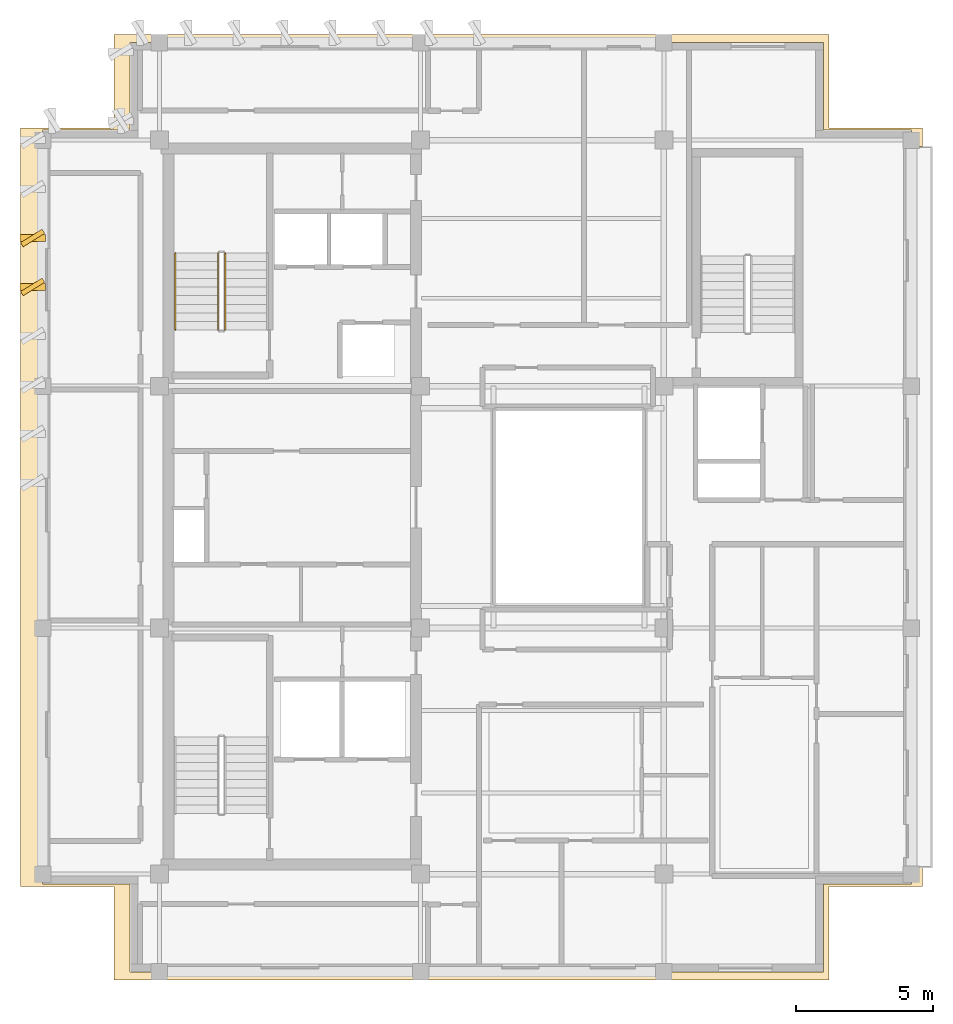
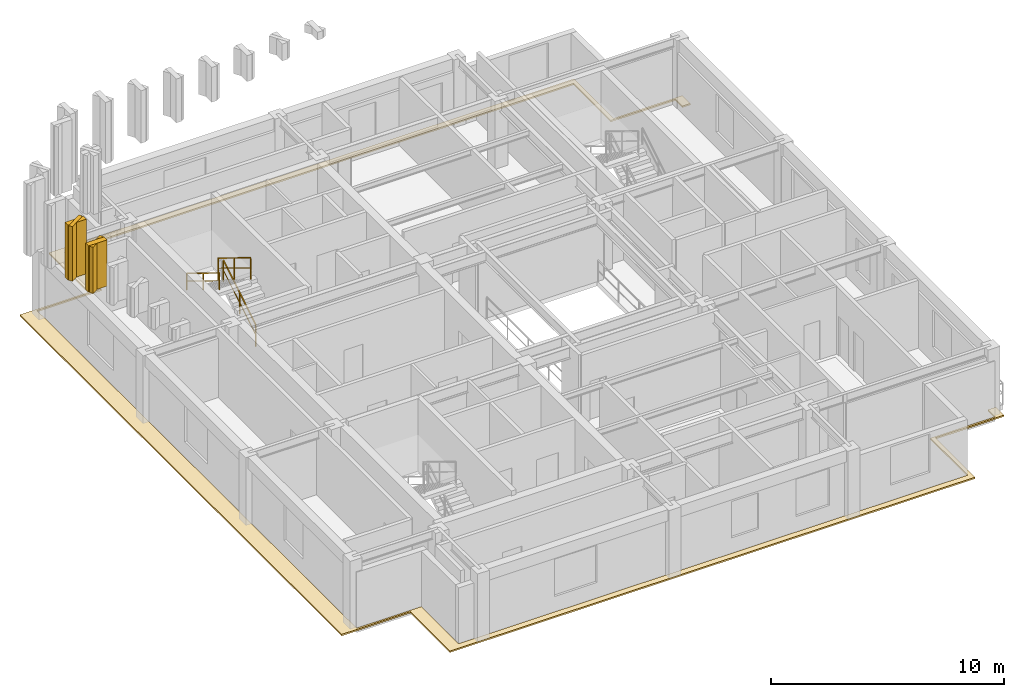
# One storey, part 8 of 9: 3 coverings, 3 railings, 2 shading devices.
"""IFC4 building model written with IfcOpenShell, lengths in metres."""

from ifc_helpers import new_model, si_unit, direction, frame, origin, origin_2d, place, context, subcontext, project, spatial, polyline, rectangle, outline, extrude, material, layer, layer_set, type_object, element, save


model = new_model("IFC4")

# Units and contexts
model_context = context("Model", 3, precision=1e-05, world=origin(), true_north=direction((0.0, 1.0)))
body_context = subcontext(model_context, "Body", "Model", "MODEL_VIEW")
ifc_project = project(units=[si_unit("LENGTHUNIT", "METRE"), si_unit("AREAUNIT", "SQUARE_METRE"), si_unit("VOLUMEUNIT", "CUBIC_METRE"), si_unit("PLANEANGLEUNIT", "RADIAN"), si_unit("MASSUNIT", "GRAM", prefix="KILO")], contexts=[model_context])

# Site, building, storey
site_placement = place(None, origin())
site = spatial("IfcSite", under=ifc_project, at=site_placement, CompositionType="ELEMENT")
building_placement = place(site_placement, origin())
building = spatial("IfcBuilding", under=site, at=building_placement, Name="Kundavana Baori Tower", CompositionType="ELEMENT")
storey_placement = place(building_placement, frame((0.0, 0.0, 342.89990234375)))
storey = spatial("IfcBuildingStorey", under=building, at=storey_placement, Name="L85", CompositionType="ELEMENT", Elevation=342.89990234375)

# Coverings
ifc_material_1 = material(Name="Elastomeric APP Waterproofing Roofing Membrane")
ifc_layer_1 = layer(ifc_material_1, 0.044921875, Name="COV-ROOF-MEMB")
ifc_layer_set_1 = layer_set([ifc_layer_1], Name="Elastomeric APP Waterproofing Roofing Membrane")
covering_type_1 = type_object("IfcCoveringType", Name="COV-ROOF-MEMB", PredefinedType="ROOFING", material=ifc_layer_set_1)
covering_1_placement = place(storey_placement, frame((0.0, 0.0, -0.079833984375)))
element("IfcCovering", 1, at=covering_1_placement, inside=storey, type_object=covering_type_1, Name="L85 Stepped Setback Stone Coping Flashing 1", PredefinedType="ROOFING", context=body_context, shape_type="SweptSolid", body=[
    extrude(outline(polyline([(43.199951171875, 14.800048828125), (39.800048828125, 14.800048828125), (39.800048828125, 11.39990234375), (13.800048828125, 11.39990234375), (13.800048828125, 14.800048828125), (10.39990234375, 14.800048828125), (10.39990234375, 42.39990234375), (13.800048828125, 42.39990234375), (13.800048828125, 45.800048828125), (39.800048828125, 45.800048828125), (39.800048828125, 42.39990234375), (43.199951171875, 42.39990234375), (43.199951171875, 41.7099609375), (42.81005859375, 41.7099609375), (42.81005859375, 42.31005859375), (39.610107421875, 42.31005859375), (39.610107421875, 45.510009765625), (14.389892578125, 45.510009765625), (14.389892578125, 42.31005859375), (11.18994140625, 42.31005859375), (11.18994140625, 14.889892578125), (14.389892578125, 14.889892578125), (14.389892578125, 11.68994140625), (39.610107421875, 11.68994140625), (39.610107421875, 14.889892578125), (42.81005859375, 14.889892578125), (42.81005859375, 15.489990234375), (43.199951171875, 15.489990234375), (43.199951171875, 14.800048828125)])), origin(), (0.0, 0.0, 1.0), 0.079833984375),
])
ifc_material_2 = material(Name="Cream-White Makrana Limestone on Concrete C40/50", Category="masonry")
ifc_layer_2 = layer(ifc_material_2, 0.239990234375, Name="COV-SAIL-FIN")
ifc_layer_set_2 = layer_set([ifc_layer_2], Name="Cream-White Makrana Limestone on Concrete C40/50")
covering_type_2 = type_object("IfcCoveringType", Name="COV-SAIL-FIN", PredefinedType="CLADDING", material=ifc_layer_set_2)
covering_2_placement = place(storey_placement, frame((0.0, 0.0, 4.339599609375)))
element("IfcCovering", 2, at=covering_2_placement, inside=storey, type_object=covering_type_2, Name="L85 Climbing Makrana White Limestone Sail Fin 061", PredefinedType="CLADDING", context=body_context, shape_type="SweptSolid", body=[
    extrude(outline(polyline([(10.3798828125, 38.260009765625), (11.300048828125, 38.260009765625), (11.300048828125, 38.52001953125), (10.3798828125, 38.52001953125), (10.3798828125, 38.260009765625)])), origin(), (0.0, 0.0, 1.0), 2.860595703125),
])
covering_3_placement = place(storey_placement, frame((0.0, 0.0, 4.77978515625)))
element("IfcCovering", 3, at=covering_3_placement, inside=storey, type_object=covering_type_2, Name="L85 Climbing Makrana White Limestone Sail Fin 062", PredefinedType="CLADDING", context=body_context, shape_type="SweptSolid", body=[
    extrude(outline(polyline([(10.3798828125, 36.47998046875), (11.300048828125, 36.47998046875), (11.300048828125, 36.739990234375), (10.3798828125, 36.739990234375), (10.3798828125, 36.47998046875)])), origin(), (0.0, 0.0, 1.0), 2.42041015625),
])

# Railings
ifc_material_3 = material(Name="Architectural Patinated Bronze Metalwork")
railing_type_1 = type_object("IfcRailingType", Name="RL-GRD-1150", PredefinedType="GUARDRAIL", material=ifc_material_3)
railing_1_placement = place(storey_placement, frame((17.840087890625, 35.050048828125, 0.190185546875)))
element("IfcRailing", 4, at=railing_1_placement, inside=storey, type_object=railing_type_1, Name="L85 ST2 stair guard 1", PredefinedType="GUARDRAIL", context=body_context, shape_type="SweptSolid", body=[
    extrude(rectangle(XDim=0.048095703125, YDim=0.048095703125, at=origin_2d()), frame((0.0, 0.0, 1.1259765625), z_axis=(0.0, 0.852609830418, 0.522548061975), x_axis=(-1.0, 0.0, 0.0)), (0.0, 0.0, 1.0), 3.2724609375),
    extrude(rectangle(XDim=0.03125, YDim=0.03125, at=origin_2d()), frame((0.0, 0.0, 0.597900390625), z_axis=(0.0, 0.852609830418, 0.522548061975), x_axis=(-1.0, 0.0, 0.0)), (0.0, 0.0, 1.0), 3.2724609375),
    extrude(rectangle(XDim=0.0419921875, YDim=0.0419921875, at=origin_2d()), origin(), (0.0, 0.0, 1.0), 1.101806640625),
    extrude(rectangle(XDim=0.0419921875, YDim=0.0419921875, at=origin_2d()), frame((0.0, 1.39501953125, 0.85498046875)), (0.0, 0.0, 1.0), 1.101806640625),
    extrude(rectangle(XDim=0.0419921875, YDim=0.0419921875, at=origin_2d()), frame((0.0, 2.7900390625, 1.7099609375)), (0.0, 0.0, 1.0), 1.101806640625),
])
railing_2_placement = place(storey_placement, frame((17.580078125, 37.840087890625, 2.090087890625)))
element("IfcRailing", 5, at=railing_2_placement, inside=storey, type_object=railing_type_1, Name="L85 ST2 stair guard 3", PredefinedType="GUARDRAIL", context=body_context, shape_type="SweptSolid", body=[
    extrude(rectangle(XDim=0.048095703125, YDim=0.048095703125, at=origin_2d()), frame((0.0, 0.0, 1.1259765625), z_axis=(0.0, -0.852609830418, 0.522548061975), x_axis=(1.0, 0.0, 0.0)), (0.0, 0.0, 1.0), 3.2724609375),
    extrude(rectangle(XDim=0.03125, YDim=0.03125, at=origin_2d()), frame((0.0, 0.0, 0.597900390625), z_axis=(0.0, -0.852609830418, 0.522548061975), x_axis=(1.0, 0.0, 0.0)), (0.0, 0.0, 1.0), 3.2724609375),
    extrude(rectangle(XDim=0.0419921875, YDim=0.0419921875, at=origin_2d()), origin(), (0.0, 0.0, 1.0), 1.101806640625),
    extrude(rectangle(XDim=0.0419921875, YDim=0.0419921875, at=origin_2d()), frame((0.0, -1.39501953125, 0.85498046875)), (0.0, 0.0, 1.0), 1.101806640625),
    extrude(rectangle(XDim=0.0419921875, YDim=0.0419921875, at=origin_2d()), frame((0.0, -2.7900390625, 1.7099609375)), (0.0, 0.0, 1.0), 1.101806640625),
])
ifc_material_4 = material(Name="Architectural Patinated Bronze Metalwork")
railing_type_2 = type_object("IfcRailingType", Name="RL-HND-920", PredefinedType="HANDRAIL", material=ifc_material_4)
railing_3_placement = place(storey_placement, frame((16.030029296875, 37.840087890625, 2.090087890625)))
element("IfcRailing", 6, at=railing_3_placement, inside=storey, type_object=railing_type_2, Name="L85 ST2 stair handrail 2", PredefinedType="HANDRAIL", context=body_context, shape_type="SweptSolid", body=[
    extrude(rectangle(XDim=0.048095703125, YDim=0.048095703125, at=origin_2d()), frame((0.0, 0.0, 0.8759765625), z_axis=(0.0, -0.852609830418, 0.522548061975), x_axis=(1.0, 0.0, 0.0)), (0.0, 0.0, 1.0), 3.2724609375),
    extrude(rectangle(XDim=0.03125, YDim=0.03125, at=origin_2d()), frame((0.0, 0.0, 0.468017578125), z_axis=(0.0, -0.852609830418, 0.522548061975), x_axis=(1.0, 0.0, 0.0)), (0.0, 0.0, 1.0), 3.2724609375),
    extrude(rectangle(XDim=0.0419921875, YDim=0.0419921875, at=origin_2d()), origin(), (0.0, 0.0, 1.0), 0.851806640625),
    extrude(rectangle(XDim=0.0419921875, YDim=0.0419921875, at=origin_2d()), frame((0.0, -1.39501953125, 0.85498046875)), (0.0, 0.0, 1.0), 0.851806640625),
    extrude(rectangle(XDim=0.0419921875, YDim=0.0419921875, at=origin_2d()), frame((0.0, -2.7900390625, 1.7099609375)), (0.0, 0.0, 1.0), 0.851806640625),
])

# Shading devices
ifc_material_5 = material(Name="Red-Buff Dholpur Sandstone Cladding on Concrete C40/50", Category="masonry")
shading_device_type = type_object("IfcShadingDeviceType", Name="SHD-FIN-920", PredefinedType="JALOUSIE", material=ifc_material_5)
shading_device_1_placement = place(storey_placement, frame((10.840087890625, 38.389892578125, 4.33984375), z_axis=(0.0, 0.0, 1.0), x_axis=(-0.529919264233, 0.848048096156, 0.0)))
element("IfcShadingDevice", 7, at=shading_device_1_placement, inside=storey, type_object=shading_device_type, Name="L85 Sweeping Makrana Limestone Crown Sail Blade 061", PredefinedType="JALOUSIE", context=body_context, shape_type="SweptSolid", body=[
    extrude(rectangle(XDim=0.179931640625, YDim=0.919921875, at=origin_2d()), origin(), (0.0, 0.0, 1.0), 2.8603515625),
])
shading_device_2_placement = place(storey_placement, frame((10.840087890625, 36.610107421875, 4.77978515625), z_axis=(0.0, 0.0, 1.0), x_axis=(-0.529919264233, 0.848048096156, 0.0)))
element("IfcShadingDevice", 8, at=shading_device_2_placement, inside=storey, type_object=shading_device_type, Name="L85 Sweeping Makrana Limestone Crown Sail Blade 062", PredefinedType="JALOUSIE", context=body_context, shape_type="SweptSolid", body=[
    extrude(rectangle(XDim=0.179931640625, YDim=0.919921875, at=origin_2d()), origin(), (0.0, 0.0, 1.0), 2.420166015625),
])

save(model, "model.ifc")
